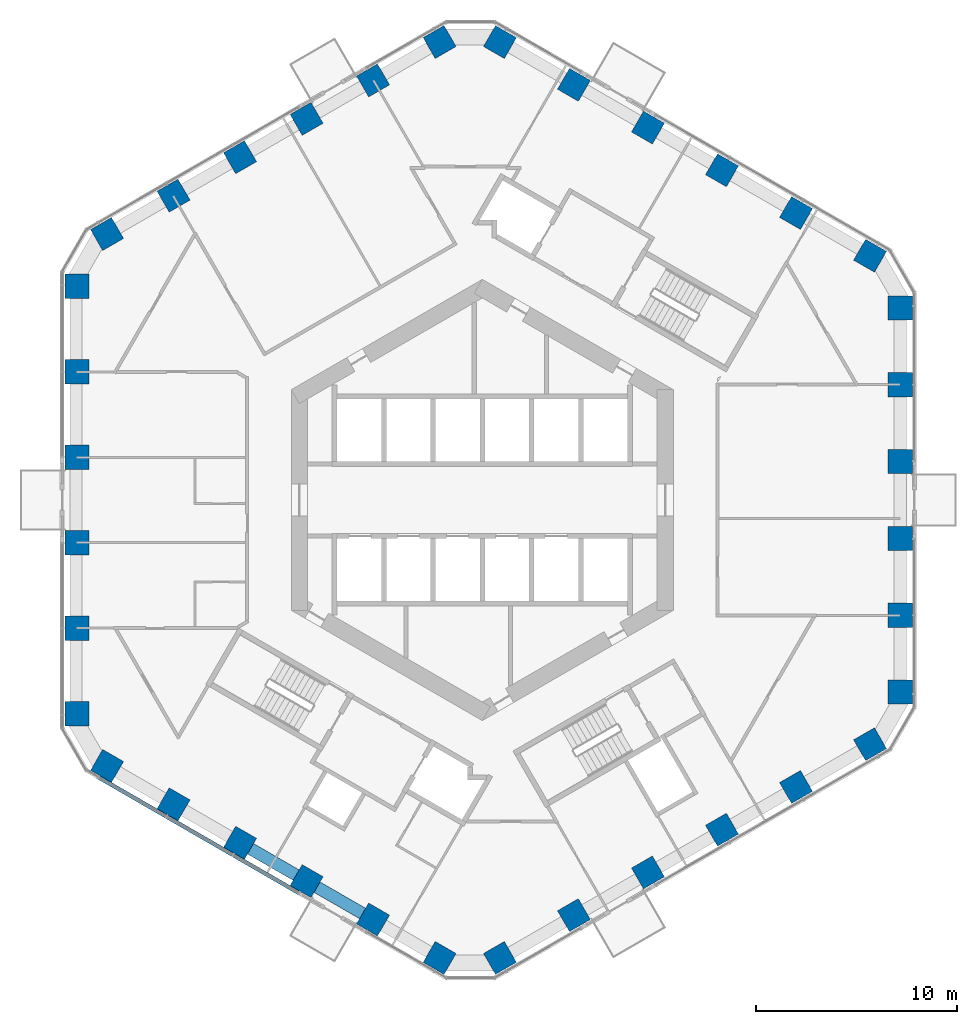
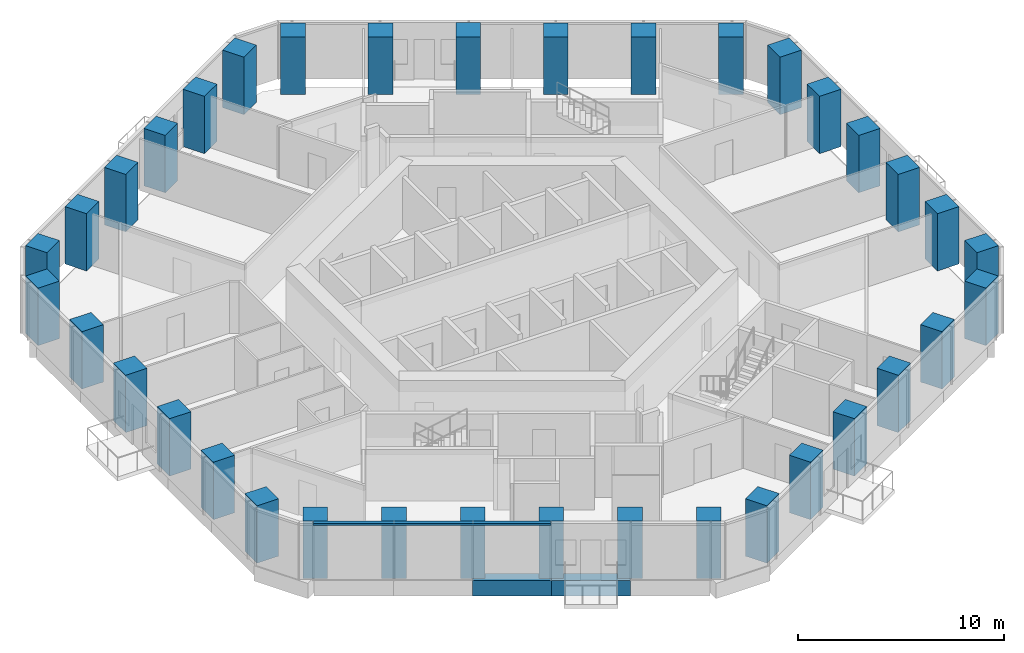
# One storey, part 1 of 20: 36 columns, 2 beams, 1 member, 1 element without a shape of its own.
"""IFC4 building model written with IfcOpenShell, lengths in metres."""

from ifc_helpers import new_model, si_unit, direction, frame, origin, origin_2d, place, context, subcontext, project, spatial, rectangle, extrude, material, layer, layer_set, material_profile, profile_set, type_object, element, aggregate, save


model = new_model("IFC4")

# Units and contexts
model_context = context("Model", 3, precision=1e-05, world=origin(), true_north=direction((0.0, 1.0)))
body_context = subcontext(model_context, "Body", "Model", "MODEL_VIEW")
ifc_project = project(units=[si_unit("LENGTHUNIT", "METRE"), si_unit("AREAUNIT", "SQUARE_METRE"), si_unit("VOLUMEUNIT", "CUBIC_METRE"), si_unit("PLANEANGLEUNIT", "RADIAN"), si_unit("MASSUNIT", "GRAM", prefix="KILO")], contexts=[model_context])

# Site, building, storey
site_placement = place(None, origin())
site = spatial("IfcSite", under=ifc_project, at=site_placement, CompositionType="ELEMENT")
building_placement = place(site_placement, origin())
building = spatial("IfcBuilding", under=site, at=building_placement, Name="Ayvan Gate Tower", CompositionType="ELEMENT")
storey_placement = place(building_placement, frame((0.0, 0.0, 59.5)))
storey = spatial("IfcBuildingStorey", under=building, at=storey_placement, Name="L15", CompositionType="ELEMENT", Elevation=59.5)

# Columns
ifc_material_1 = material(Name="Concrete C70/85", Category="concrete")
ifc_material_profile_1 = material_profile(ifc_material_1, rectangle(XDim=1.199951171875, YDim=1.199951171875, at=origin_2d()), Name="RC 1200x1200")
ifc_profile_set_1 = profile_set([ifc_material_profile_1], Name="Concrete C70/85")
column_type = type_object("IfcColumnType", Name="Tube column RC 1200x1200 C70/85", PredefinedType="COLUMN", material=ifc_profile_set_1)
for number, where, z_axis, x_axis, name in (
    (1, (20.78466796875, -9.54833984375, 0.0), (0.0, 0.0, 1.0), (1.0, 0.0, 0.0), "C-T0-0-L15"),
    (2, (20.78466796875, -5.72900390625, 0.0), (0.0, 0.0, 1.0), (1.0, 0.0, 0.0), "C-T0-1-L15"),
    (3, (20.78466796875, -1.90966796875, 0.0), (0.0, 0.0, 1.0), (1.0, 0.0, 0.0), "C-T0-2-L15"),
    (4, (20.78466796875, 1.90966796875, 0.0), (0.0, 0.0, 1.0), (1.0, 0.0, 0.0), "C-T0-3-L15"),
    (5, (20.78466796875, 5.72900390625, 0.0), (0.0, 0.0, 1.0), (1.0, 0.0, 0.0), "C-T0-4-L15"),
    (6, (20.78466796875, 9.54833984375, 0.0), (0.0, 0.0, 1.0), (1.0, 0.0, 0.0), "C-T0-5-L15"),
    (7, (19.28466796875, 12.146484375, 0.0), (0.0, 0.0, 1.0), (0.5, 0.866025403784, 0.0), "C-T1-0-L15"),
    (8, (15.60302734375, 14.27197265625, 0.0), (0.0, 0.0, 1.0), (0.5, 0.866025403784, 0.0), "C-T1-1-L15"),
    (9, (11.92138671875, 16.3974609375, 0.0), (0.0, 0.0, 1.0), (0.5, 0.866025403784, 0.0), "C-T1-2-L15"),
    (10, (8.239990234375, 18.523193359375, 0.0), (0.0, 0.0, 1.0), (0.5, 0.866025403784, 0.0), "C-T1-3-L15"),
    (11, (4.558349609375, 20.648681640625, 0.0), (0.0, 0.0, 1.0), (0.5, 0.866025403784, 0.0), "C-T1-4-L15"),
    (12, (0.876953125, 22.774169921875, 0.0), (0.0, 0.0, 1.0), (0.5, 0.866025403784, 0.0), "C-T1-5-L15"),
    (13, (-2.123046875, 22.774169921875, 0.0), (0.0, 0.0, 1.0), (-0.5, 0.866025403784, 0.0), "C-T2-0-L15"),
    (14, (-5.430908203125, 20.864501953125, 0.0), (0.0, 0.0, 1.0), (-0.5, 0.866025403784, 0.0), "C-T2-1-L15"),
    (15, (-8.738525390625, 18.954833984375, 0.0), (0.0, 0.0, 1.0), (-0.5, 0.866025403784, 0.0), "C-T2-2-L15"),
    (16, (-12.046142578125, 17.045166015625, 0.0), (0.0, 0.0, 1.0), (-0.5, 0.866025403784, 0.0), "C-T2-3-L15"),
    (17, (-15.353759765625, 15.135498046875, 0.0), (0.0, 0.0, 1.0), (-0.5, 0.866025403784, 0.0), "C-T2-4-L15"),
    (18, (-18.661376953125, 13.225830078125, 0.0), (0.0, 0.0, 1.0), (-0.5, 0.866025403784, 0.0), "C-T2-5-L15"),
    (19, (-20.161376953125, 10.627685546875, 0.0), (0.0, 0.0, 1.0), (-1.0, 0.0, 0.0), "C-T3-0-L15"),
    (20, (-20.161376953125, 6.376708984375, 0.0), (0.0, 0.0, 1.0), (-1.0, 0.0, 0.0), "C-T3-1-L15"),
    (21, (-20.161376953125, 2.12548828125, 0.0), (0.0, 0.0, 1.0), (-1.0, 0.0, 0.0), "C-T3-2-L15"),
    (22, (-20.161376953125, -2.12548828125, 0.0), (0.0, 0.0, 1.0), (-1.0, 0.0, 0.0), "C-T3-3-L15"),
    (23, (-20.161376953125, -6.376708984375, 0.0), (0.0, 0.0, 1.0), (-1.0, 0.0, 0.0), "C-T3-4-L15"),
    (24, (-20.161376953125, -10.627685546875, 0.0), (0.0, 0.0, 1.0), (-1.0, 0.0, 0.0), "C-T3-5-L15"),
    (25, (-18.661376953125, -13.225830078125, 0.0), (0.0, 0.0, 1.0), (-0.5, -0.866025403784, 0.0), "C-T4-0-L15"),
    (26, (-15.353759765625, -15.135498046875, 0.0), (0.0, 0.0, 1.0), (-0.5, -0.866025403784, 0.0), "C-T4-1-L15"),
    (27, (-12.046142578125, -17.045166015625, 0.0), (0.0, 0.0, 1.0), (-0.5, -0.866025403784, 0.0), "C-T4-2-L15"),
    (28, (-8.738525390625, -18.954833984375, 0.0), (0.0, 0.0, 1.0), (-0.5, -0.866025403784, 0.0), "C-T4-3-L15"),
    (29, (-5.430908203125, -20.864501953125, 0.0), (0.0, 0.0, 1.0), (-0.5, -0.866025403784, 0.0), "C-T4-4-L15"),
    (30, (-2.123046875, -22.774169921875, 0.0), (0.0, 0.0, 1.0), (-0.5, -0.866025403784, 0.0), "C-T4-5-L15"),
    (31, (0.876953125, -22.774169921875, 0.0), (0.0, 0.0, 1.0), (0.5, -0.866025403784, 0.0), "C-T5-0-L15"),
    (32, (4.558349609375, -20.648681640625, 0.0), (0.0, 0.0, 1.0), (0.5, -0.866025403784, 0.0), "C-T5-1-L15"),
    (33, (8.239990234375, -18.523193359375, 0.0), (0.0, 0.0, 1.0), (0.5, -0.866025403784, 0.0), "C-T5-2-L15"),
    (34, (11.92138671875, -16.3974609375, 0.0), (0.0, 0.0, 1.0), (0.5, -0.866025403784, 0.0), "C-T5-3-L15"),
    (35, (15.60302734375, -14.27197265625, 0.0), (0.0, 0.0, 1.0), (0.5, -0.866025403784, 0.0), "C-T5-4-L15"),
    (36, (19.28466796875, -12.146484375, 0.0), (0.0, 0.0, 1.0), (0.5, -0.866025403784, 0.0), "C-T5-5-L15"),
):
    element("IfcColumn", number, at=place(storey_placement, frame(where, z_axis=z_axis, x_axis=x_axis)), inside=storey, type_object=column_type, Name=name, PredefinedType="COLUMN", context=body_context, shape_type="SweptSolid", body=[
        extrude(rectangle(XDim=1.199951171875, YDim=1.199951171875, at=origin_2d()), origin(), (0.0, 0.0, 1.0), 3.39990234375),
    ])

# Beams
ifc_material_2 = material(Name="Concrete C40/50", Category="concrete")
ifc_material_profile_2 = material_profile(ifc_material_2, rectangle(XDim=0.60009765625, YDim=0.89990234375, at=origin_2d()), Name="RC 600x900")
ifc_profile_set_2 = profile_set([ifc_material_profile_2], Name="Concrete C40/50")
beam_type = type_object("IfcBeamType", Name="Spandrel beam RC 600x900 C40/50", PredefinedType="BEAM", material=ifc_profile_set_2)
for number, where, z_axis, x_axis, name in (
    (37, (-12.054931640625, -17.0400390625, -0.800048828125), (0.866011930837, -0.500023335103, 0.0), (0.500023335103, 0.866011930837, 0.0), "SB-L15-27"),
    (38, (-8.729736328125, -18.9599609375, -0.800048828125), (0.866039463868, -0.499975646431, 0.0), (0.499975646431, 0.866039463868, 0.0), "SB-L15-28"),
):
    element("IfcBeam", number, at=place(storey_placement, frame(where, z_axis=z_axis, x_axis=x_axis)), inside=storey, type_object=beam_type, Name=name, PredefinedType="BEAM", context=body_context, shape_type="SweptSolid", body=[
        extrude(rectangle(XDim=0.60009765625, YDim=0.89990234375, at=origin_2d()), origin(), (0.0, 0.0, 1.0), 3.839599609375),
    ])

# Curtain wall, member
ifc_material_3 = material(Name="Bronze anodised aluminium", Category="aluminium")
ifc_layer = layer(ifc_material_3, 0.199951171875)
ifc_layer_set = layer_set([ifc_layer], Name="Bronze anodised aluminium")
curtain_wall_type = type_object("IfcCurtainWallType", Name="Stick curtain wall CW-1", PredefinedType="NOTDEFINED", material=ifc_layer_set)
curtain_wall_placement = place(storey_placement, origin())
curtain_wall = element("IfcCurtainWall", 39, at=curtain_wall_placement, inside=storey, type_object=curtain_wall_type, Name="Stick curtain wall CW-1 L15", PredefinedType="NOTDEFINED")
ifc_material_profile_3 = material_profile(ifc_material_3, rectangle(XDim=0.199951171875, YDim=0.1201171875, at=origin_2d()), Name="Stick curtain wall CW-1 transom 200 x 120")
ifc_profile_set_3 = profile_set([ifc_material_profile_3], Name="Bronze anodised aluminium")
member_type = type_object("IfcMemberType", Name="Stick curtain wall CW-1 transom 200 x 120", PredefinedType="USERDEFINED", material=ifc_profile_set_3)
member_placement = place(storey_placement, frame((-19.094970703125, -13.78369140625, 3.340087890625), z_axis=(0.86601837473, -0.500012174481, 0.0), x_axis=(0.500012174481, 0.86601837473, 0.0)))
member = element("IfcMember", 40, at=member_placement, type_object=member_type, Name="CW-1 transom 1", ObjectType="TRANSOM", PredefinedType="USERDEFINED", context=body_context, shape_type="SweptSolid", body=[
    extrude(rectangle(XDim=0.199951171875, YDim=0.1201171875, at=origin_2d()), origin(), (0.0, 0.0, 1.0), 11.525146484375),
])
aggregate(curtain_wall, [member])

save(model, "model.ifc")
